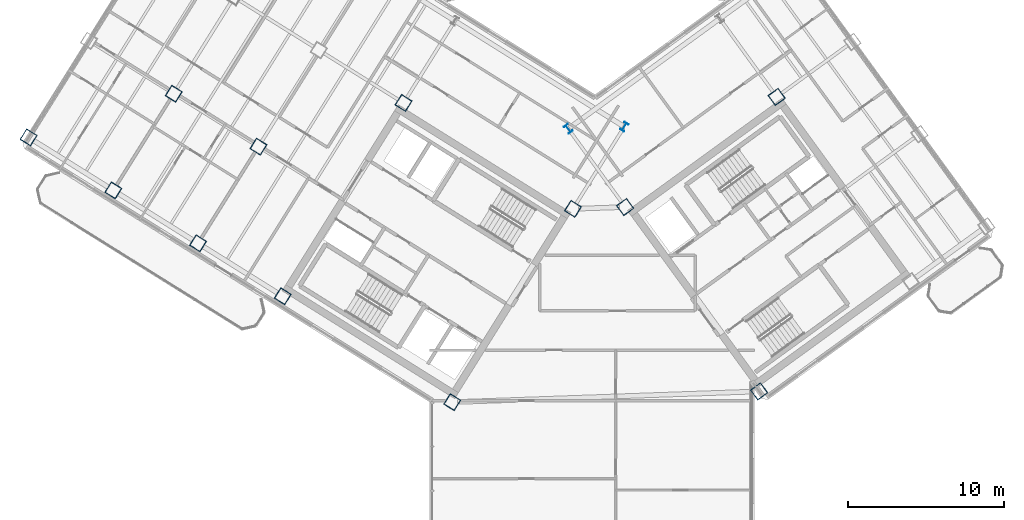
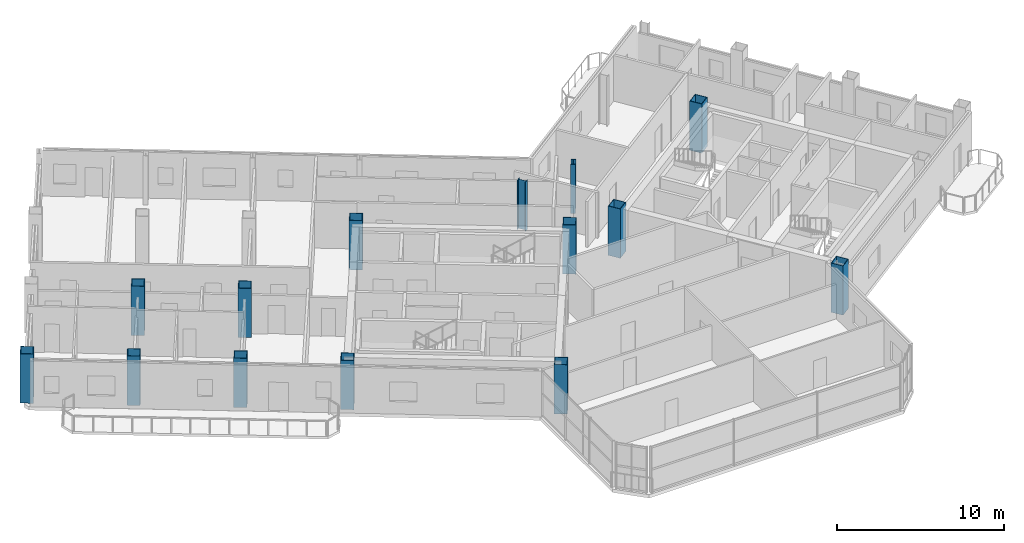
# One storey, part 1 of 21: 14 columns.
"""IFC4 building model written with IfcOpenShell, lengths in metres."""

from ifc_helpers import new_model, si_unit, direction, frame, origin, origin_2d, place, context, subcontext, project, spatial, hollow_rectangle, i_section, extrude, source, transform, mapped, material, material_profile, profile_set, type_object, element, save


model = new_model("IFC4")

# Units and contexts
model_context = context("Model", 3, precision=1e-05, world=origin(), true_north=direction((0.0, 1.0)))
body_context = subcontext(model_context, "Body", "Model", "MODEL_VIEW")
ifc_project = project(units=[si_unit("LENGTHUNIT", "METRE"), si_unit("AREAUNIT", "SQUARE_METRE"), si_unit("VOLUMEUNIT", "CUBIC_METRE"), si_unit("PLANEANGLEUNIT", "RADIAN"), si_unit("MASSUNIT", "GRAM", prefix="KILO")], contexts=[model_context])

# Site, building, storey
site_placement = place(None, origin())
site = spatial("IfcSite", under=ifc_project, at=site_placement, CompositionType="ELEMENT")
building_placement = place(site_placement, origin())
building = spatial("IfcBuilding", under=site, at=building_placement, Name="Tlacorven Tower", CompositionType="ELEMENT")
storey_placement = place(building_placement, frame((0.0, 0.0, 207.60009765625)))
storey = spatial("IfcBuildingStorey", under=building, at=storey_placement, Name="L52", CompositionType="ELEMENT", Elevation=207.60009765625)

# Columns
ifc_material = material(Name="Steel S460M", Category="steel")
ifc_material_profile_1 = material_profile(ifc_material, i_section(OverallWidth=0.300048828125, OverallDepth=0.550048828125, WebThickness=0.014892578125, FlangeThickness=0.029052734375, at=origin_2d()), Name="HEB 550")
ifc_profile_set_1 = profile_set([ifc_material_profile_1], Name="Steel S460M")
column_type_1 = type_object("IfcColumnType", Name="COL-TWR-P2", PredefinedType="COLUMN", material=ifc_profile_set_1)
shared_shape_1 = source(origin(), body_context, "Body", "SweptSolid", [
    extrude(i_section(OverallWidth=0.300048828125, OverallDepth=0.550048828125, WebThickness=0.014892578125, FlangeThickness=0.029052734375, at=origin_2d()), origin(), (0.0, 0.0, 1.0), 3.599853515625),
])
for number, where, z_axis, x_axis, name in (
    (1, (44.068359375, 29.726318359375, 0.0), (0.0, 0.0, 1.0), (-0.848048096156, 0.529919264233, 0.0), "L52 column COL-L52-W1-1"),
    (2, (40.4794921875, 29.60107421875, 0.0), (0.0, 0.0, 1.0), (0.809016994375, 0.587785252292, 0.0), "L52 column COL-L52-E1-4"),
):
    element("IfcColumn", number, at=place(storey_placement, frame(where, z_axis=z_axis, x_axis=x_axis)), inside=storey, type_object=column_type_1, Name=name, PredefinedType="COLUMN", context=body_context, shape_type="MappedRepresentation", body=[
        mapped(shared_shape_1, transform((0.0, 0.0, 0.0), scale=1.0)),
    ])
ifc_material_profile_2 = material_profile(ifc_material, hollow_rectangle(XDim=0.800048828125, YDim=0.800048828125, WallThickness=0.031982421875, at=origin_2d()), Name="BOX 800X800X32")
ifc_profile_set_2 = profile_set([ifc_material_profile_2], Name="Steel S460M")
column_type_2 = type_object("IfcColumnType", Name="COL-TWR-S3", PredefinedType="COLUMN", material=ifc_profile_set_2)
shared_shape_2 = source(origin(), body_context, "Body", "SweptSolid", [
    extrude(hollow_rectangle(XDim=0.800048828125, YDim=0.800048828125, WallThickness=0.031982421875, at=origin_2d()), origin(), (0.0, 0.0, 1.0), 3.599853515625),
])
for number, where, z_axis, x_axis, name in (
    (3, (40.782958984375, 24.468505859375, 0.0), (0.0, 0.0, 1.0), (-0.848048096156, 0.529919264233, 0.0), "L52 column COL-L52-W1-2"),
    (4, (33.046142578125, 12.0869140625, 0.0), (0.0, 0.0, 1.0), (-0.848048096156, 0.529919264233, 0.0), "L52 column COL-L52-W1-4"),
    (5, (29.927978515625, 31.25146484375, 0.0), (0.0, 0.0, 1.0), (-0.848048096156, 0.529919264233, 0.0), "L52 column COL-L52-W3-2"),
    (6, (22.191162109375, 18.869873046875, 0.0), (0.0, 0.0, 1.0), (-0.848048096156, 0.529919264233, 0.0), "L52 column COL-L52-W3-4"),
    (7, (20.632080078125, 28.4521484375, 0.0), (0.0, 0.0, 1.0), (-0.848048096156, 0.529919264233, 0.0), "L52 column COL-L52-W4-3"),
    (8, (16.763671875, 22.26123046875, 0.0), (0.0, 0.0, 1.0), (-0.848048096156, 0.529919264233, 0.0), "L52 column COL-L52-W4-4"),
    (9, (15.20458984375, 31.843505859375, 0.0), (0.0, 0.0, 1.0), (-0.848048096156, 0.529919264233, 0.0), "L52 column COL-L52-W5-3"),
    (10, (11.336181640625, 25.65283203125, 0.0), (0.0, 0.0, 1.0), (-0.848048096156, 0.529919264233, 0.0), "L52 column COL-L52-W5-4"),
    (11, (5.90869140625, 29.044189453125, 0.0), (0.0, 0.0, 1.0), (-0.848048096156, 0.529919264233, 0.0), "L52 column COL-L52-W6-4"),
    (12, (52.705322265625, 12.7734375, 0.0), (0.0, 0.0, 1.0), (0.809016994375, 0.587785252292, 0.0), "L52 column COL-L52-E1-1"),
    (13, (44.123779296875, 24.5849609375, 0.0), (0.0, 0.0, 1.0), (0.809016994375, 0.587785252292, 0.0), "L52 column COL-L52-E1-3"),
    (14, (53.83203125, 31.638427734375, 0.0), (0.0, 0.0, 1.0), (0.809016994375, 0.587785252292, 0.0), "L52 column COL-L52-E3-3"),
):
    element("IfcColumn", number, at=place(storey_placement, frame(where, z_axis=z_axis, x_axis=x_axis)), inside=storey, type_object=column_type_2, Name=name, PredefinedType="COLUMN", context=body_context, shape_type="MappedRepresentation", body=[
        mapped(shared_shape_2, transform((0.0, 0.0, 0.0), scale=1.0)),
    ])

save(model, "model.ifc")
